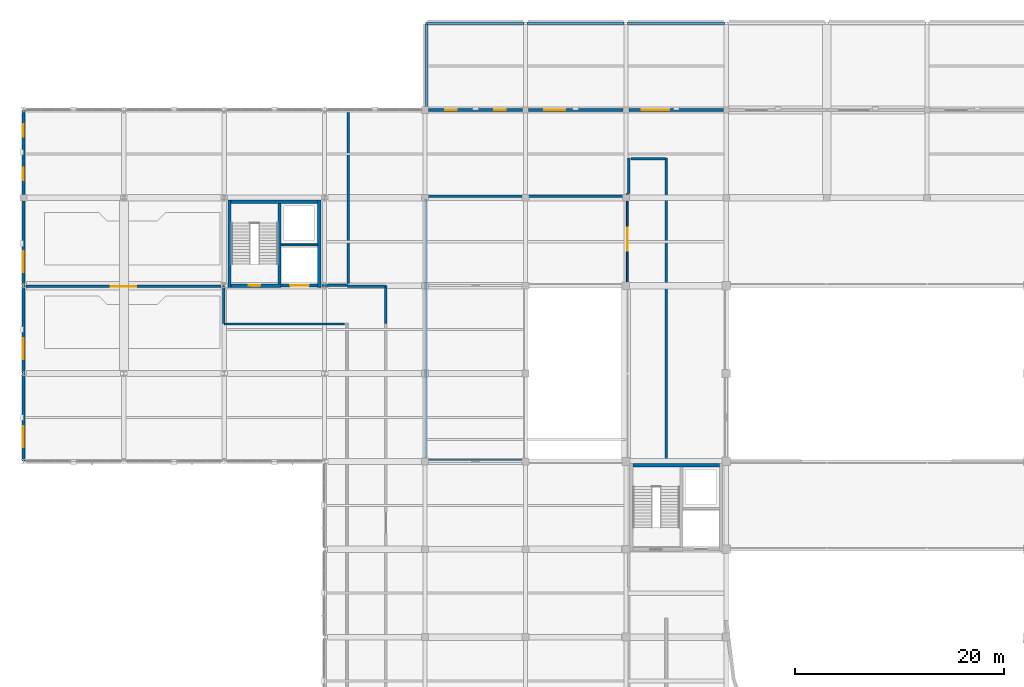
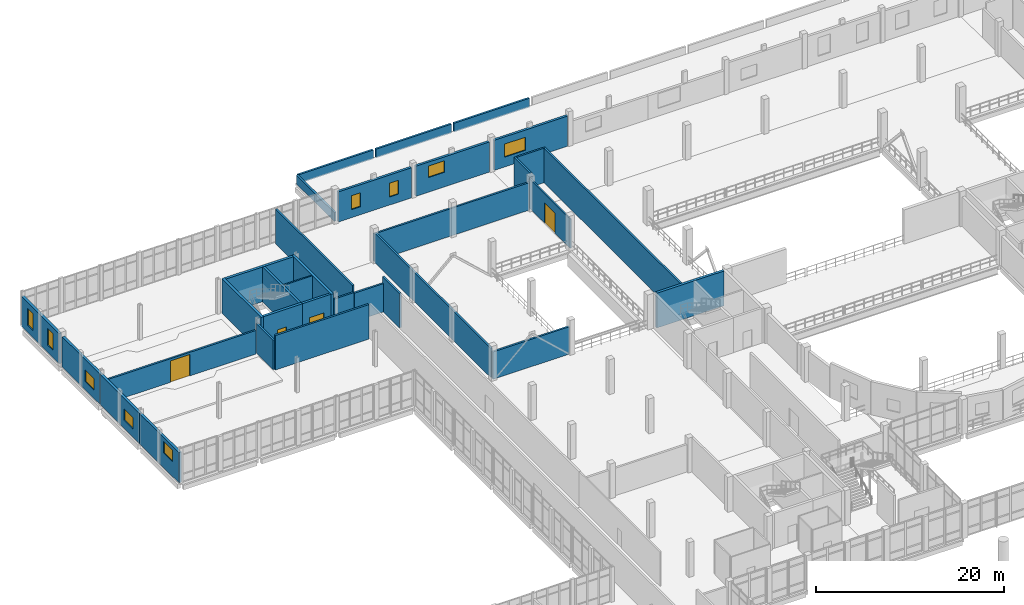
# One storey, part 91 of 102: 33 walls, 9 windows, 4 doors, 13 openings.
"""IFC4 building model written with IfcOpenShell, lengths in metres."""

import ifcopenshell
import ifcopenshell.guid

model = None  # the IFC model being written
_history = None  # IfcOwnerHistory: only IFC2X3 demands one
_inside = {}  # id of a spatial element -> (the spatial element, [elements in it])
_under = {}  # id of a project, library or spatial element -> (it, [spatial elements below it])
_declared = {}  # id of a project -> (the project, [libraries it declares])
_typed = {}  # id of a type object -> (the type object, [elements of that type])
_made_of = {}  # id of a material, layer set ... -> (it, [elements and type objects made of it])


def new_model(schema):
    """Start an empty IFC model of exactly this schema.

    Asked for "IFC4X3", IfcOpenShell would pick the latest addendum, in which some entities
    have other attributes; the version numbers below select the first issue.
    IFC2X3 requires an IfcOwnerHistory on every rooted entity: one is made here for all.
    """
    global model, _history
    if schema == "IFC4X3":
        model = ifcopenshell.file(schema_version=(4, 3, 0, 0))
    else:
        model = ifcopenshell.file(schema=schema)
    _inside.clear()
    _under.clear()
    _declared.clear()
    _typed.clear()
    _made_of.clear()
    _history = None
    if model.schema == "IFC2X3":
        org = make("IfcOrganization", Name="unknown")
        user = make(
            "IfcPersonAndOrganization",
            ThePerson=make("IfcPerson", FamilyName="unknown"),
            TheOrganization=org,
        )
        app = make(
            "IfcApplication",
            ApplicationDeveloper=org,
            Version="unknown",
            ApplicationFullName="unknown",
            ApplicationIdentifier="unknown",
        )
        _history = make(
            "IfcOwnerHistory",
            OwningUser=user,
            OwningApplication=app,
            ChangeAction="ADDED",
            CreationDate=0,
        )
    return model


def make(cls, **values):
    """One entity of the class cls with the attributes given. An attribute that is None is left unset."""
    return model.create_entity(
        cls, **{name: value for name, value in values.items() if value is not None}
    )


def rooted(cls, **values):
    """An entity with a GlobalId (a new one), such as an element, a storey or a relation."""
    return make(cls, GlobalId=ifcopenshell.guid.new(), OwnerHistory=_history, **values)


def si_unit(unit_type, name, prefix=None):
    """IfcSIUnit, for example si_unit("LENGTHUNIT", "METRE", prefix="MILLI")."""
    return make("IfcSIUnit", UnitType=unit_type, Prefix=prefix, Name=name)


def assignment(units):
    """IfcUnitAssignment: the units of a project."""
    return None if units is None else make("IfcUnitAssignment", Units=units)


def point(xyz):
    """IfcCartesianPoint."""
    return None if xyz is None else make("IfcCartesianPoint", Coordinates=xyz)


def direction(xyz):
    """IfcDirection."""
    return None if xyz is None else make("IfcDirection", DirectionRatios=xyz)


def frame(location, z_axis=None, x_axis=None):
    """IfcAxis2Placement3D, a coordinate frame: its origin and axes. An axis left out is left unset."""
    return make(
        "IfcAxis2Placement3D",
        Location=point(location),
        Axis=direction(z_axis),
        RefDirection=direction(x_axis),
    )


def frame_2d(location, x_axis=None):
    """IfcAxis2Placement2D, a coordinate frame in the plane: its origin and x axis."""
    return make(
        "IfcAxis2Placement2D", Location=point(location), RefDirection=direction(x_axis)
    )


def origin():
    """The frame at (0, 0, 0) with its axes left unset."""
    return frame((0.0, 0.0, 0.0))


def place(relative_to, where):
    """IfcLocalPlacement: puts the frame where relative to a parent placement (None: the world)."""
    return make(
        "IfcLocalPlacement", PlacementRelTo=relative_to, RelativePlacement=where
    )


def context(
    kind, dimensions, precision=None, world=None, true_north=None, identifier=None
):
    """IfcGeometricRepresentationContext, for example the 3D "Model" context."""
    return make(
        "IfcGeometricRepresentationContext",
        ContextIdentifier=identifier,
        ContextType=kind,
        CoordinateSpaceDimension=dimensions,
        Precision=precision,
        WorldCoordinateSystem=world,
        TrueNorth=true_north,
    )


def subcontext(parent, identifier, kind, view, scale=None):
    """IfcGeometricRepresentationSubContext, for example "Body" below "Model"."""
    return make(
        "IfcGeometricRepresentationSubContext",
        ContextIdentifier=identifier,
        ContextType=kind,
        ParentContext=parent,
        TargetScale=scale,
        TargetView=view,
    )


def project(units=None, contexts=None):
    """IfcProject with its units and contexts."""
    return rooted(
        "IfcProject",
        Name="project",
        RepresentationContexts=contexts,
        UnitsInContext=assignment(units),
    )


def spatial(cls, under=None, at=None, **own):
    """A site, building, storey or space (cls), placed at a placement, below another one or the project."""
    s = rooted(cls, ObjectPlacement=at, **own)
    if under is not None:
        _under.setdefault(under.id(), (under, []))[1].append(s)
    return s


def profile(cls, at=None, kind="AREA", **sizes):
    """A parametric profile (cls). Its sizes go by their IFC names, for example OverallWidth=200.0."""
    return make(cls, ProfileType=kind, Position=at, **sizes)


def rectangle(**sizes):
    """IfcRectangleProfileDef."""
    return profile("IfcRectangleProfileDef", **sizes)


def extrude(swept, where, along, depth):
    """IfcExtrudedAreaSolid: the profile swept, set in the frame where, extruded along a direction by depth."""
    return make(
        "IfcExtrudedAreaSolid",
        SweptArea=swept,
        Position=where,
        ExtrudedDirection=direction(along),
        Depth=depth,
    )


def shape(context_of_items, identifier, shape_type, items):
    """IfcShapeRepresentation: the items that make up one representation, for example the "Body"."""
    return make(
        "IfcShapeRepresentation",
        ContextOfItems=context_of_items,
        RepresentationIdentifier=identifier,
        RepresentationType=shape_type,
        Items=items,
    )


def material(Name=None, Category=None):
    """IfcMaterial."""
    return make("IfcMaterial", Name=Name, Category=Category)


def layer(
    of_material, thickness, ventilated=None, Name=None, Category=None, Priority=None
):
    """IfcMaterialLayer: one layer of a wall or slab, of a material (None: an air gap)."""
    return make(
        "IfcMaterialLayer",
        Material=of_material,
        LayerThickness=thickness,
        IsVentilated=ventilated,
        Name=Name,
        Category=Category,
        Priority=Priority,
    )


def layer_set(layers, Name=None):
    """IfcMaterialLayerSet."""
    return make("IfcMaterialLayerSet", MaterialLayers=layers, LayerSetName=Name)


def made_of(thing, what):
    """Note that an element or type object is made of a material, layer set ...; save() writes the relation."""
    if what is not None:
        _made_of.setdefault(what.id(), (what, []))[1].append(thing)
    return thing


def type_object(cls, material=None, **own):
    """A type object (cls), such as IfcWallType, which elements share."""
    return made_of(rooted(cls, **own), material)


def element(
    cls,
    number,
    at=None,
    inside=None,
    cuts=None,
    type_object=None,
    material=None,
    context=None,
    identifier="Body",
    shape_type=None,
    held_by="IfcProductDefinitionShape",
    body=None,
    shapes=None,
    **own,
):
    """One element of the class cls, such as IfcWall. Its Tag is "e" and its number.

    at: its placement. inside: the storey or other place that contains it. cuts: it is an
    opening in that element (IfcRelVoidsElement). A single representation is given by context,
    identifier, shape_type and body (its items); several are given by shapes. held_by: the class
    of the entity that holds the representations. save() writes the other relations.
    """
    e = rooted(cls, Tag="e%d" % number, ObjectPlacement=at, **own)
    if body is not None:
        shapes = [shape(context, identifier, shape_type, body)]
    if shapes is not None:
        e.Representation = make(held_by, Representations=shapes)
    if inside is not None:
        _inside.setdefault(inside.id(), (inside, []))[1].append(e)
    if cuts is not None:
        rooted(
            "IfcRelVoidsElement", RelatingBuildingElement=cuts, RelatedOpeningElement=e
        )
    if type_object is not None:
        _typed.setdefault(type_object.id(), (type_object, []))[1].append(e)
    return made_of(e, material)


def fill(opening, filler):
    """IfcRelFillsElement: the door or window that sits in an opening."""
    return rooted(
        "IfcRelFillsElement",
        RelatingOpeningElement=opening,
        RelatedBuildingElement=filler,
    )


def aggregate(whole, parts):
    """IfcRelAggregates: a whole, such as a stair, and the parts it consists of."""
    return rooted("IfcRelAggregates", RelatingObject=whole, RelatedObjects=parts)


def save(model, path):
    """Write the relations noted so far, then the file.

    IfcRelAggregates (storeys below a building ...), IfcRelContainedInSpatialStructure (elements
    in a storey), IfcRelDefinesByType, IfcRelAssociatesMaterial and IfcRelDeclares: one each for
    every whole, place, type object, material and project.
    """
    for whole, parts in _under.values():
        aggregate(whole, parts)
    for where, things in _inside.values():
        rooted(
            "IfcRelContainedInSpatialStructure",
            RelatedElements=things,
            RelatingStructure=where,
        )
    for kind, things in _typed.values():
        rooted("IfcRelDefinesByType", RelatedObjects=things, RelatingType=kind)
    for what, things in _made_of.values():
        rooted("IfcRelAssociatesMaterial", RelatedObjects=things, RelatingMaterial=what)
    for by, libraries in _declared.values():
        rooted("IfcRelDeclares", RelatingContext=by, RelatedDefinitions=libraries)
    model.write(path)


model = new_model("IFC4")

# Units and contexts
model_context = context("Model", 3, precision=1e-05, world=origin(), true_north=direction((0.0, 1.0)))
body_context = subcontext(model_context, "Body", "Model", "MODEL_VIEW")
ifc_project = project(units=[si_unit("LENGTHUNIT", "METRE"), si_unit("AREAUNIT", "SQUARE_METRE"), si_unit("VOLUMEUNIT", "CUBIC_METRE"), si_unit("PLANEANGLEUNIT", "RADIAN"), si_unit("MASSUNIT", "GRAM", prefix="KILO")], contexts=[model_context])

# Site, building, storey
site_placement = place(None, origin())
site = spatial("IfcSite", under=ifc_project, at=site_placement, CompositionType="ELEMENT")
building_placement = place(site_placement, origin())
building = spatial("IfcBuilding", under=site, at=building_placement, Name="Lornevale Opera House", CompositionType="ELEMENT")
storey_placement = place(building_placement, frame((0.0, 0.0, 5.39990234375)))
storey = spatial("IfcBuildingStorey", under=building, at=storey_placement, Name="L02", CompositionType="ELEMENT", Elevation=5.39990234375)

# Wall, opening, door
ifc_material_1 = material(Name="Concrete 40 MPa (CSA A23.1 C-1)", Category="concrete")
ifc_layer_1 = layer(ifc_material_1, 0.320068359375)
ifc_layer_set_1 = layer_set([ifc_layer_1], Name="Concrete 40 MPa (CSA A23.1 C-1)")
wall_type_1 = type_object("IfcWallType", Name="Core Shear Wall 320", PredefinedType="SHEAR", material=ifc_layer_set_1)
wall_1_placement = place(storey_placement, frame((19.860107421875, 84.0, 0.0), z_axis=(0.0, 0.0, 1.0), x_axis=(1.0, 0.0, 0.0)))
wall_1 = element("IfcWall", 1, at=wall_1_placement, inside=storey, type_object=wall_type_1, Name="North-West Workshop Core Core Shear Wall 320 WL-COR-0134", PredefinedType="SHEAR", context=body_context, shape_type="SweptSolid", body=[
    extrude(rectangle(XDim=4.77978515625, YDim=0.320068359375, at=frame_2d((2.389892578125, 0.0))), origin(), (0.0, 0.0, 1.0), 4.52001953125),
])
opening_1_placement = place(wall_1_placement, frame((1.68994140625, 0.0, 0.0)))
opening_1 = element("IfcOpeningElement", 2, at=opening_1_placement, cuts=wall_1, Name="Opening DR-T11", PredefinedType="OPENING", context=body_context, shape_type="SweptSolid", body=[
    extrude(rectangle(XDim=1.10009765625, YDim=2.199951171875, at=frame_2d((0.550048828125, 1.10009765625))), frame((0.0, 0.169921875, 0.0), z_axis=(0.0, -1.0, 0.0), x_axis=(1.0, 0.0, 0.0)), (0.0, 0.0, 1.0), 0.340087890625),
])
ifc_material_2 = material(Name="Painted Hollow Metal Door Steel", Category="steel")
ifc_layer_2 = layer(ifc_material_2, 2.199951171875)
ifc_layer_set_2 = layer_set([ifc_layer_2], Name="Painted Hollow Metal Door Steel")
door_type_1 = type_object("IfcDoorType", Name="Protected Exit Stair Door R 1100x2200", OperationType="NOTDEFINED", PredefinedType="DOOR", material=ifc_layer_set_2)
door_1_placement = place(opening_1_placement, origin())
door_1 = element("IfcDoor", 3, at=door_1_placement, inside=storey, type_object=door_type_1, Name="C4 Stair Door L02", OperationType="SINGLE_SWING_RIGHT", OverallHeight=2.199951171875, OverallWidth=1.10009765625, PredefinedType="DOOR", context=body_context, shape_type="SweptSolid", body=[
    extrude(rectangle(XDim=1.10009765625, YDim=2.199951171875, at=frame_2d((0.550048828125, 1.10009765625))), frame((0.0, 0.02490234375, 0.0), z_axis=(0.0, -1.0, 0.0), x_axis=(1.0, 0.0, 0.0)), (0.0, 0.0, 1.0), 0.050048828125),
])
fill(opening_1, door_1)

# Walls
wall_2_placement = place(storey_placement, frame((28.139892578125, 92.0400390625, 0.0), z_axis=(0.0, 0.0, 1.0), x_axis=(-1.0, 0.0, 0.0)))
element("IfcWall", 4, at=wall_2_placement, inside=storey, type_object=wall_type_1, Name="North-West Workshop Core Core Shear Wall 320 WL-COR-0136", PredefinedType="SHEAR", context=body_context, shape_type="SweptSolid", body=[
    extrude(rectangle(XDim=8.27978515625, YDim=0.320068359375, at=frame_2d((4.139892578125, 0.0))), origin(), (0.0, 0.0, 1.0), 4.52001953125),
])
for number, where, z_axis, x_axis, name in (
    (5, (19.699951171875, 92.199951171875, 0.0), (0.0, 0.0, 1.0), (0.0, -1.0, 0.0), "North-West Workshop Core Core Shear Wall 320 WL-COR-0137"),
    (6, (28.300048828125, 83.840087890625, 0.0), (0.0, 0.0, 1.0), (0.0, 1.0, 0.0), "North-West Workshop Core Core Shear Wall 320 WL-COR-0138"),
):
    element("IfcWall", number, at=place(storey_placement, frame(where, z_axis=z_axis, x_axis=x_axis)), inside=storey, type_object=wall_type_1, Name=name, PredefinedType="SHEAR", context=body_context, shape_type="SweptSolid", body=[
        extrude(rectangle(XDim=8.35986328125, YDim=0.320068359375, at=frame_2d((4.179931640625, 0.0))), origin(), (0.0, 0.0, 1.0), 4.52001953125),
    ])
wall_3_placement = place(storey_placement, frame((66.5400390625, 66.840087890625, 0.0), z_axis=(0.0, 0.0, 1.0), x_axis=(-1.0, 0.0, 0.0)))
element("IfcWall", 7, at=wall_3_placement, inside=storey, type_object=wall_type_1, Name="Auditorium West Tier Core Core Shear Wall 320 WL-COR-0171", PredefinedType="SHEAR", context=body_context, shape_type="SweptSolid", body=[
    extrude(rectangle(XDim=8.280029296875, YDim=0.320068359375, at=frame_2d((4.14013671875, 0.0))), origin(), (0.0, 0.0, 1.0), 4.52001953125),
])

# Wall, opening, door
ifc_material_3 = material(Name="Acoustic Mineral-Core Gypsum Partition", Category="gypsum")
ifc_layer_3 = layer(ifc_material_3, 0.1650390625)
ifc_layer_set_3 = layer_set([ifc_layer_3], Name="Acoustic Mineral-Core Gypsum Partition")
wall_type_2 = type_object("IfcWallType", Name="Corridor Rated Partition 165", PredefinedType="PARTITIONING", material=ifc_layer_set_3)
wall_4_placement = place(storey_placement, frame((57.739990234375, 84.091064453125, 0.0), z_axis=(0.0, 0.0, 1.0), x_axis=(0.0, 1.0, 0.0)))
wall_4 = element("IfcWall", 8, at=wall_4_placement, inside=storey, type_object=wall_type_2, Name="L02 Partition WL-INT-0753", PredefinedType="PARTITIONING", context=body_context, shape_type="SweptSolid", body=[
    extrude(rectangle(XDim=8.708984375, YDim=0.1650390625, at=frame_2d((4.3544921875, 0.0))), origin(), (0.0, 0.0, 1.0), 3.81005859375),
])
opening_2_placement = place(wall_4_placement, frame((3.2548828125, 0.0, 0.0)))
opening_2 = element("IfcOpeningElement", 9, at=opening_2_placement, cuts=wall_4, Name="Opening DR-T17", PredefinedType="OPENING", context=body_context, shape_type="SweptSolid", body=[
    extrude(rectangle(XDim=2.199951171875, YDim=2.60009765625, at=frame_2d((1.10009765625, 1.300048828125))), frame((0.0, 0.092529296875, 0.0), z_axis=(0.0, -1.0, 0.0), x_axis=(1.0, 0.0, 0.0)), (0.0, 0.0, 1.0), 0.18505859375),
])
ifc_layer_4 = layer(ifc_material_2, 2.60009765625)
ifc_layer_set_4 = layer_set([ifc_layer_4], Name="Painted Hollow Metal Door Steel")
door_type_2 = type_object("IfcDoorType", Name="Workshop Acoustic Pair 2200x2600", OperationType="NOTDEFINED", PredefinedType="DOOR", material=ifc_layer_set_4)
door_2_placement = place(opening_2_placement, origin())
door_2 = element("IfcDoor", 10, at=door_2_placement, inside=storey, type_object=door_type_2, Name="Prop & Metalwork Workshop Door", OperationType="DOUBLE_SWING_LEFT", OverallHeight=2.60009765625, OverallWidth=2.199951171875, PredefinedType="DOOR", context=body_context, shape_type="SweptSolid", body=[
    extrude(rectangle(XDim=2.199951171875, YDim=2.60009765625, at=frame_2d((1.10009765625, 1.300048828125))), frame((0.0, 0.02490234375, 0.0), z_axis=(0.0, -1.0, 0.0), x_axis=(1.0, 0.0, 0.0)), (0.0, 0.0, 1.0), 0.050048828125),
])
fill(opening_2, door_2)

ifc_layer_5 = layer(ifc_material_1, 0.280029296875)
ifc_layer_set_5 = layer_set([ifc_layer_5], Name="Concrete 40 MPa (CSA A23.1 C-1)")
wall_type_3 = type_object("IfcWallType", Name="Elevator Shaft Wall 280", PredefinedType="SHEAR", material=ifc_layer_set_5)
wall_5_placement = place(storey_placement, frame((24.639892578125, 84.0, 0.0), z_axis=(0.0, 0.0, 1.0), x_axis=(1.0, 0.0, 0.0)))
wall_5 = element("IfcWall", 11, at=wall_5_placement, inside=storey, type_object=wall_type_3, Name="North-West Workshop Core Elevator Shaft Wall 280 WL-COR-0135", PredefinedType="SHEAR", context=body_context, shape_type="SweptSolid", body=[
    extrude(rectangle(XDim=3.5, YDim=0.280029296875, at=frame_2d((1.75, 0.0))), origin(), (0.0, 0.0, 1.0), 4.52001953125),
])
opening_3_placement = place(wall_5_placement, frame((0.860107421875, 0.0, 0.0)))
opening_3 = element("IfcOpeningElement", 12, at=opening_3_placement, cuts=wall_5, Name="Opening DR-T27", PredefinedType="OPENING", context=body_context, shape_type="SweptSolid", body=[
    extrude(rectangle(XDim=1.800048828125, YDim=2.39990234375, at=frame_2d((0.89990234375, 1.199951171875))), frame((0.0, 0.14990234375, 0.0), z_axis=(0.0, -1.0, 0.0), x_axis=(1.0, 0.0, 0.0)), (0.0, 0.0, 1.0), 0.300048828125),
])
ifc_layer_6 = layer(ifc_material_2, 2.39990234375)
ifc_layer_set_6 = layer_set([ifc_layer_6], Name="Painted Hollow Metal Door Steel")
door_type_3 = type_object("IfcDoorType", Name="Freight Lift Landing Door 1800x2400", OperationType="NOTDEFINED", PredefinedType="DOOR", material=ifc_layer_set_6)
door_3_placement = place(opening_3_placement, origin())
door_3 = element("IfcDoor", 13, at=door_3_placement, inside=storey, type_object=door_type_3, Name="L-B1 Landing Door L02", OperationType="SLIDING_TO_LEFT", OverallHeight=2.39990234375, OverallWidth=1.800048828125, PredefinedType="DOOR", context=body_context, shape_type="SweptSolid", body=[
    extrude(rectangle(XDim=1.800048828125, YDim=2.39990234375, at=frame_2d((0.89990234375, 1.199951171875))), frame((0.0, 0.02490234375, 0.0), z_axis=(0.0, -1.0, 0.0), x_axis=(1.0, 0.0, 0.0)), (0.0, 0.0, 1.0), 0.050048828125),
])
fill(opening_3, door_3)

# Wall
wall_6_placement = place(storey_placement, frame((24.5, 84.159912109375, 0.0), z_axis=(0.0, 0.0, 1.0), x_axis=(0.0, 1.0, 0.0)))
element("IfcWall", 14, at=wall_6_placement, inside=storey, type_object=wall_type_3, Name="North-West Workshop Core Elevator Shaft Wall 280 WL-COR-0139", PredefinedType="SHEAR", context=body_context, shape_type="SweptSolid", body=[
    extrude(rectangle(XDim=7.719970703125, YDim=0.280029296875, at=frame_2d((3.85986328125, 0.0))), origin(), (0.0, 0.0, 1.0), 4.52001953125),
])

# Wall, opening, window
ifc_material_4 = material(Name="Queenston Buff Limestone Ashlar Masonry (25 MPa)", Category="masonry")
ifc_layer_7 = layer(ifc_material_4, 0.31005859375)
ifc_layer_set_7 = layer_set([ifc_layer_7], Name="Queenston Buff Limestone Ashlar Masonry (25 MPa)")
wall_type_4 = type_object("IfcWallType", Name="Rehearsal Pavilion Limestone Wall 310", PredefinedType="SOLIDWALL", material=ifc_layer_set_7)
wall_7_placement = place(storey_placement, frame((0.0, 67.219970703125, 0.0), z_axis=(0.0, 0.0, 1.0), x_axis=(0.0, 1.0, 0.0)))
wall_7 = element("IfcWall", 15, at=wall_7_placement, inside=storey, type_object=wall_type_4, Name="Rehearsal Pavilion Limestone Wall 310 WL-EXT-0194", PredefinedType="SOLIDWALL", context=body_context, shape_type="SweptSolid", body=[
    extrude(rectangle(XDim=8.360107421875, YDim=0.31005859375, at=frame_2d((4.18017578125, 0.0))), origin(), (0.0, 0.0, 1.0), 3.920166015625),
])
opening_4_placement = place(wall_7_placement, frame((1.341064453125, 0.0, 1.89990234375)))
opening_4 = element("IfcOpeningElement", 16, at=opening_4_placement, cuts=wall_7, Name="Opening WN-T11", PredefinedType="OPENING", context=body_context, shape_type="SweptSolid", body=[
    extrude(rectangle(XDim=2.0, YDim=1.5, at=frame_2d((1.0, 0.75))), frame((0.0, 0.1650390625, 0.0), z_axis=(0.0, -1.0, 0.0), x_axis=(1.0, 0.0, 0.0)), (0.0, 0.0, 1.0), 0.330078125),
])
ifc_material_5 = material(Name="Triple Low-E Insulated Glazing", Category="glass")
ifc_layer_8 = layer(ifc_material_5, 0.06005859375)
ifc_layer_set_8 = layer_set([ifc_layer_8], Name="Triple Low-E Insulated Glazing")
window_type_1 = type_object("IfcWindowType", Name="Workshop Operable Window 2000x1500", PartitioningType="NOTDEFINED", PredefinedType="WINDOW", material=ifc_layer_set_8)
window_1_placement = place(opening_4_placement, origin())
window_1 = element("IfcWindow", 17, at=window_1_placement, inside=storey, type_object=window_type_1, Name="Workshop Operable Window 2000x1500 WN-0039", OverallHeight=1.5, OverallWidth=2.0, PartitioningType="SINGLE_PANEL", PredefinedType="WINDOW", context=body_context, shape_type="SweptSolid", body=[
    extrude(rectangle(XDim=2.0, YDim=1.5, at=frame_2d((1.0, 0.75))), frame((0.0, 0.030029296875, 0.0), z_axis=(0.0, -1.0, 0.0), x_axis=(1.0, 0.0, 0.0)), (0.0, 0.0, 1.0), 0.06005859375),
])
fill(opening_4, window_1)

wall_8_placement = place(storey_placement, frame((0.0, 75.6201171875, 0.0), z_axis=(0.0, 0.0, 1.0), x_axis=(0.0, 1.0, 0.0)))
wall_8 = element("IfcWall", 18, at=wall_8_placement, inside=storey, type_object=wall_type_4, Name="Rehearsal Pavilion Limestone Wall 310 WL-EXT-0195", PredefinedType="SOLIDWALL", context=body_context, shape_type="SweptSolid", body=[
    extrude(rectangle(XDim=8.35986328125, YDim=0.31005859375, at=frame_2d((4.179931640625, 0.0))), origin(), (0.0, 0.0, 1.0), 3.920166015625),
])
opening_5_placement = place(wall_8_placement, frame((1.341064453125, 0.0, 1.050048828125)))
opening_5 = element("IfcOpeningElement", 19, at=opening_5_placement, cuts=wall_8, Name="Opening WN-T11", PredefinedType="OPENING", context=body_context, shape_type="SweptSolid", body=[
    extrude(rectangle(XDim=2.0, YDim=1.5, at=frame_2d((1.0, 0.75))), frame((0.0, 0.1650390625, 0.0), z_axis=(0.0, -1.0, 0.0), x_axis=(1.0, 0.0, 0.0)), (0.0, 0.0, 1.0), 0.330078125),
])
window_2_placement = place(opening_5_placement, origin())
window_2 = element("IfcWindow", 20, at=window_2_placement, inside=storey, type_object=window_type_1, Name="Workshop Operable Window 2000x1500 WN-0040", OverallHeight=1.5, OverallWidth=2.0, PartitioningType="SINGLE_PANEL", PredefinedType="WINDOW", context=body_context, shape_type="SweptSolid", body=[
    extrude(rectangle(XDim=2.0, YDim=1.5, at=frame_2d((1.0, 0.75))), frame((0.0, 0.030029296875, 0.0), z_axis=(0.0, -1.0, 0.0), x_axis=(1.0, 0.0, 0.0)), (0.0, 0.0, 1.0), 0.06005859375),
])
fill(opening_5, window_2)

wall_9_placement = place(storey_placement, frame((0.0, 84.02001953125, 0.0), z_axis=(0.0, 0.0, 1.0), x_axis=(0.0, 1.0, 0.0)))
wall_9 = element("IfcWall", 21, at=wall_9_placement, inside=storey, type_object=wall_type_4, Name="Rehearsal Pavilion Limestone Wall 310 WL-EXT-0196", PredefinedType="SOLIDWALL", context=body_context, shape_type="SweptSolid", body=[
    extrude(rectangle(XDim=8.054931640625, YDim=0.31005859375, at=frame_2d((4.02734375, 0.0))), origin(), (0.0, 0.0, 1.0), 3.920166015625),
])
opening_6_placement = place(wall_9_placement, frame((1.2548828125, 0.0, 1.050048828125)))
opening_6 = element("IfcOpeningElement", 22, at=opening_6_placement, cuts=wall_9, Name="Opening WN-T11", PredefinedType="OPENING", context=body_context, shape_type="SweptSolid", body=[
    extrude(rectangle(XDim=2.0, YDim=1.5, at=frame_2d((1.0, 0.75))), frame((0.0, 0.1650390625, 0.0), z_axis=(0.0, -1.0, 0.0), x_axis=(1.0, 0.0, 0.0)), (0.0, 0.0, 1.0), 0.330078125),
])
window_3_placement = place(opening_6_placement, origin())
window_3 = element("IfcWindow", 23, at=window_3_placement, inside=storey, type_object=window_type_1, Name="Workshop Operable Window 2000x1500 WN-0041", OverallHeight=1.5, OverallWidth=2.0, PartitioningType="SINGLE_PANEL", PredefinedType="WINDOW", context=body_context, shape_type="SweptSolid", body=[
    extrude(rectangle(XDim=2.0, YDim=1.5, at=frame_2d((1.0, 0.75))), frame((0.0, 0.030029296875, 0.0), z_axis=(0.0, -1.0, 0.0), x_axis=(1.0, 0.0, 0.0)), (0.0, 0.0, 1.0), 0.06005859375),
])
fill(opening_6, window_3)

# Wall, openings, windows
wall_10_placement = place(storey_placement, frame((0.0, 92.72509765625, 0.0), z_axis=(0.0, 0.0, 1.0), x_axis=(0.0, 1.0, 0.0)))
wall_10 = element("IfcWall", 24, at=wall_10_placement, inside=storey, type_object=wall_type_4, Name="Rehearsal Pavilion Limestone Wall 310 WL-EXT-0197", PredefinedType="SOLIDWALL", context=body_context, shape_type="SweptSolid", body=[
    extrude(rectangle(XDim=8.054931640625, YDim=0.31005859375, at=frame_2d((4.02734375, 0.0))), origin(), (0.0, 0.0, 1.0), 3.920166015625),
])
opening_7_placement = place(wall_10_placement, frame((1.3330078125, 0.0, 0.949951171875)))
opening_7 = element("IfcOpeningElement", 25, at=opening_7_placement, cuts=wall_10, Name="Opening WN-T03", PredefinedType="OPENING", context=body_context, shape_type="SweptSolid", body=[
    extrude(rectangle(XDim=1.199951171875, YDim=2.199951171875, at=frame_2d((0.60009765625, 1.10009765625))), frame((0.0, 0.1650390625, 0.0), z_axis=(0.0, -1.0, 0.0), x_axis=(1.0, 0.0, 0.0)), (0.0, 0.0, 1.0), 0.330078125),
])
opening_8_placement = place(wall_10_placement, frame((5.52197265625, 0.0, 0.949951171875)))
opening_8 = element("IfcOpeningElement", 26, at=opening_8_placement, cuts=wall_10, Name="Opening WN-T03", PredefinedType="OPENING", context=body_context, shape_type="SweptSolid", body=[
    extrude(rectangle(XDim=1.199951171875, YDim=2.199951171875, at=frame_2d((0.60009765625, 1.10009765625))), frame((0.0, 0.1650390625, 0.0), z_axis=(0.0, -1.0, 0.0), x_axis=(1.0, 0.0, 0.0)), (0.0, 0.0, 1.0), 0.330078125),
])
ifc_layer_9 = layer(ifc_material_5, 0.06005859375)
ifc_layer_set_9 = layer_set([ifc_layer_9], Name="Triple Low-E Insulated Glazing")
window_type_2 = type_object("IfcWindowType", Name="Punched Deep-Reveal Window 1200x2200", PartitioningType="NOTDEFINED", PredefinedType="WINDOW", material=ifc_layer_set_9)
window_4_placement = place(opening_7_placement, origin())
window_4 = element("IfcWindow", 27, at=window_4_placement, inside=storey, type_object=window_type_2, Name="Punched Deep-Reveal Window 1200x2200 WN-0042", OverallHeight=2.199951171875, OverallWidth=1.199951171875, PartitioningType="SINGLE_PANEL", PredefinedType="WINDOW", context=body_context, shape_type="SweptSolid", body=[
    extrude(rectangle(XDim=1.199951171875, YDim=2.199951171875, at=frame_2d((0.60009765625, 1.10009765625))), frame((0.0, 0.030029296875, 0.0), z_axis=(0.0, -1.0, 0.0), x_axis=(1.0, 0.0, 0.0)), (0.0, 0.0, 1.0), 0.06005859375),
])
fill(opening_7, window_4)
window_5_placement = place(opening_8_placement, origin())
window_5 = element("IfcWindow", 28, at=window_5_placement, inside=storey, type_object=window_type_2, Name="Punched Deep-Reveal Window 1200x2200 WN-0043", OverallHeight=2.199951171875, OverallWidth=1.199951171875, PartitioningType="SINGLE_PANEL", PredefinedType="WINDOW", context=body_context, shape_type="SweptSolid", body=[
    extrude(rectangle(XDim=1.199951171875, YDim=2.199951171875, at=frame_2d((0.60009765625, 1.10009765625))), frame((0.0, 0.030029296875, 0.0), z_axis=(0.0, -1.0, 0.0), x_axis=(1.0, 0.0, 0.0)), (0.0, 0.0, 1.0), 0.06005859375),
])
fill(opening_8, window_5)

# Walls
ifc_layer_10 = layer(ifc_material_3, 0.22998046875)
ifc_layer_set_10 = layer_set([ifc_layer_10], Name="Acoustic Mineral-Core Gypsum Partition")
wall_type_5 = type_object("IfcWallType", Name="Rehearsal Studio Acoustic Wall 230", PredefinedType="SOLIDWALL", material=ifc_layer_set_10)
wall_11_placement = place(storey_placement, frame((28.550048828125, 84.06005859375, 0.0), z_axis=(0.0, 0.0, 1.0), x_axis=(1.0, 0.0, 0.0)))
element("IfcWall", 29, at=wall_11_placement, inside=storey, type_object=wall_type_5, Name="L02 Partition WL-INT-0752", PredefinedType="SOLIDWALL", context=body_context, shape_type="SweptSolid", body=[
    extrude(rectangle(XDim=2.449951171875, YDim=0.22998046875, at=frame_2d((1.22509765625, 0.0))), origin(), (0.0, 0.0, 1.0), 3.670166015625),
])
wall_12_placement = place(storey_placement, frame((31.0, 83.93994140625, 0.0), z_axis=(0.0, 0.0, 1.0), x_axis=(1.0, 0.0, 0.0)))
element("IfcWall", 30, at=wall_12_placement, inside=storey, type_object=wall_type_5, Name="L02 Partition WL-INT-0754", PredefinedType="SOLIDWALL", context=body_context, shape_type="SweptSolid", body=[
    extrude(rectangle(XDim=3.60009765625, YDim=0.22998046875, at=frame_2d((1.800048828125, 0.0))), origin(), (0.0, 0.0, 1.0), 3.670166015625),
])
wall_13_placement = place(storey_placement, frame((34.659912109375, 80.39990234375, 0.0), z_axis=(0.0, 0.0, 1.0), x_axis=(0.0, 1.0, 0.0)))
element("IfcWall", 31, at=wall_13_placement, inside=storey, type_object=wall_type_5, Name="L02 Partition WL-INT-0755", PredefinedType="SOLIDWALL", context=body_context, shape_type="SweptSolid", body=[
    extrude(rectangle(XDim=3.60009765625, YDim=0.22998046875, at=frame_2d((1.800048828125, 0.0))), origin(), (0.0, 0.0, 1.0), 4.47998046875),
])
wall_14_placement = place(storey_placement, frame((57.860107421875, 92.800048828125, 0.0), z_axis=(0.0, 0.0, 1.0), x_axis=(0.0, 1.0, 0.0)))
element("IfcWall", 32, at=wall_14_placement, inside=storey, type_object=wall_type_5, Name="L02 Partition WL-INT-0759", PredefinedType="SOLIDWALL", context=body_context, shape_type="SweptSolid", body=[
    extrude(rectangle(XDim=3.39990234375, YDim=0.22998046875, at=frame_2d((1.699951171875, 0.0))), origin(), (0.0, 0.0, 1.0), 4.47998046875),
])
wall_15_placement = place(storey_placement, frame((58.110107421875, 96.139892578125, 0.0), z_axis=(0.0, 0.0, 1.0), x_axis=(1.0, 0.0, 0.0)))
element("IfcWall", 33, at=wall_15_placement, inside=storey, type_object=wall_type_5, Name="L02 Partition WL-INT-0760", PredefinedType="SOLIDWALL", context=body_context, shape_type="SweptSolid", body=[
    extrude(rectangle(XDim=3.289794921875, YDim=0.22998046875, at=frame_2d((1.64501953125, 0.0))), origin(), (0.0, 0.0, 1.0), 4.47998046875),
])
wall_16_placement = place(storey_placement, frame((61.4599609375, 67.090087890625, 0.0), z_axis=(0.0, 0.0, 1.0), x_axis=(0.0, 1.0, 0.0)))
element("IfcWall", 34, at=wall_16_placement, inside=storey, type_object=wall_type_5, Name="L02 Partition WL-INT-0761", PredefinedType="SOLIDWALL", context=body_context, shape_type="SweptSolid", body=[
    extrude(rectangle(XDim=29.10986328125, YDim=0.22998046875, at=frame_2d((14.554931640625, 0.0))), origin(), (0.0, 0.0, 1.0), 4.47998046875),
])
wall_17_placement = place(storey_placement, frame((19.139892578125, 80.39990234375, 0.0), z_axis=(0.0, 0.0, 1.0), x_axis=(0.0, 1.0, 0.0)))
element("IfcWall", 35, at=wall_17_placement, inside=storey, type_object=wall_type_5, Name="L02 Partition WL-INT-0762", PredefinedType="SOLIDWALL", context=body_context, shape_type="SweptSolid", body=[
    extrude(rectangle(XDim=3.60009765625, YDim=0.22998046875, at=frame_2d((1.800048828125, 0.0))), origin(), (0.0, 0.0, 1.0), 3.820068359375),
])
wall_18_placement = place(storey_placement, frame((19.199951171875, 80.340087890625, 0.0), z_axis=(0.0, 0.0, 1.0), x_axis=(1.0, 0.0, 0.0)))
element("IfcWall", 36, at=wall_18_placement, inside=storey, type_object=wall_type_5, Name="L02 Partition WL-INT-0765", PredefinedType="SOLIDWALL", context=body_context, shape_type="SweptSolid", body=[
    extrude(rectangle(XDim=11.489990234375, YDim=0.22998046875, at=frame_2d((5.7451171875, 0.0))), origin(), (0.0, 0.0, 1.0), 4.47998046875),
])
wall_19_placement = place(storey_placement, frame((31.06005859375, 84.18994140625, 0.0), z_axis=(0.0, 0.0, 1.0), x_axis=(0.0, 1.0, 0.0)))
element("IfcWall", 37, at=wall_19_placement, inside=storey, type_object=wall_type_5, Name="L02 Partition WL-INT-0803", PredefinedType="SOLIDWALL", context=body_context, shape_type="SweptSolid", body=[
    extrude(rectangle(XDim=16.360107421875, YDim=0.22998046875, at=frame_2d((8.18017578125, 0.0))), origin(), (0.0, 0.0, 1.0), 4.47998046875),
])

# Wall, opening, door
wall_20_placement = place(storey_placement, frame((0.25, 83.93994140625, 0.0), z_axis=(0.0, 0.0, 1.0), x_axis=(1.0, 0.0, 0.0)))
wall_20 = element("IfcWall", 38, at=wall_20_placement, inside=storey, type_object=wall_type_5, Name="L02 Partition WL-INT-0804", PredefinedType="SOLIDWALL", context=body_context, shape_type="SweptSolid", body=[
    extrude(rectangle(XDim=18.639892578125, YDim=0.22998046875, at=frame_2d((9.31982421875, 0.0))), origin(), (0.0, 0.0, 1.0), 3.070068359375),
])
opening_9_placement = place(wall_20_placement, frame((8.1201171875, 0.0, 0.0)))
opening_9 = element("IfcOpeningElement", 39, at=opening_9_placement, cuts=wall_20, Name="Opening DR-T16", PredefinedType="OPENING", context=body_context, shape_type="SweptSolid", body=[
    extrude(rectangle(XDim=2.39990234375, YDim=2.800048828125, at=frame_2d((1.199951171875, 1.39990234375))), frame((0.0, 0.125, 0.0), z_axis=(0.0, -1.0, 0.0), x_axis=(1.0, 0.0, 0.0)), (0.0, 0.0, 1.0), 0.25),
])
ifc_layer_11 = layer(ifc_material_2, 2.800048828125)
ifc_layer_set_11 = layer_set([ifc_layer_11], Name="Painted Hollow Metal Door Steel")
door_type_4 = type_object("IfcDoorType", Name="Stage Scenery Double Door 2400x2800", OperationType="NOTDEFINED", PredefinedType="DOOR", material=ifc_layer_set_11)
door_4_placement = place(opening_9_placement, origin())
door_4 = element("IfcDoor", 40, at=door_4_placement, inside=storey, type_object=door_type_4, Name="Full-Scale Rehearsal Stage Door", OperationType="DOUBLE_SWING_LEFT", OverallHeight=2.800048828125, OverallWidth=2.39990234375, PredefinedType="DOOR", context=body_context, shape_type="SweptSolid", body=[
    extrude(rectangle(XDim=2.39990234375, YDim=2.800048828125, at=frame_2d((1.199951171875, 1.39990234375))), frame((0.0, 0.02490234375, 0.0), z_axis=(0.0, -1.0, 0.0), x_axis=(1.0, 0.0, 0.0)), (0.0, 0.0, 1.0), 0.050048828125),
])
fill(opening_9, door_4)

# Walls
wall_21_placement = place(storey_placement, frame((38.39990234375, 92.5400390625, 0.0), z_axis=(0.0, 0.0, 1.0), x_axis=(1.0, 0.0, 0.0)))
element("IfcWall", 41, at=wall_21_placement, inside=storey, type_object=wall_type_5, Name="L02 Partition WL-INT-0805", PredefinedType="SOLIDWALL", context=body_context, shape_type="SweptSolid", body=[
    extrude(rectangle(XDim=19.090087890625, YDim=0.22998046875, at=frame_2d((9.544921875, 0.0))), origin(), (0.0, 0.0, 1.0), 3.56005859375),
])
wall_22_placement = place(storey_placement, frame((38.39990234375, 67.260009765625, 0.0), z_axis=(0.0, 0.0, 1.0), x_axis=(1.0, 0.0, 0.0)))
element("IfcWall", 42, at=wall_22_placement, inside=storey, type_object=wall_type_5, Name="L02 Partition WL-INT-0806", PredefinedType="SOLIDWALL", context=body_context, shape_type="SweptSolid", body=[
    extrude(rectangle(XDim=9.380126953125, YDim=0.22998046875, at=frame_2d((4.68994140625, 0.0))), origin(), (0.0, 0.0, 1.0), 3.56005859375),
])
wall_23_placement = place(storey_placement, frame((38.4599609375, 67.510009765625, 0.0), z_axis=(0.0, 0.0, 1.0), x_axis=(0.0, 1.0, 0.0)))
element("IfcWall", 43, at=wall_23_placement, inside=storey, type_object=wall_type_5, Name="L02 Partition WL-INT-0807", PredefinedType="SOLIDWALL", context=body_context, shape_type="SweptSolid", body=[
    extrude(rectangle(XDim=24.780029296875, YDim=0.22998046875, at=frame_2d((12.39013671875, 0.0))), origin(), (0.0, 0.0, 1.0), 3.81005859375),
])
ifc_material_6 = material(Name="Moisture-Resistant Ceramic & Gypsum Partition", Category="gypsum")
ifc_layer_12 = layer(ifc_material_6, 0.179931640625)
ifc_layer_set_12 = layer_set([ifc_layer_12], Name="Moisture-Resistant Ceramic & Gypsum Partition")
wall_type_6 = type_object("IfcWallType", Name="Riser Shaft Wall 180", PredefinedType="SOLIDWALL", material=ifc_layer_set_12)
wall_24_placement = place(storey_placement, frame((24.639892578125, 87.89990234375, 0.0), z_axis=(0.0, 0.0, 1.0), x_axis=(1.0, 0.0, 0.0)))
element("IfcWall", 44, at=wall_24_placement, inside=storey, type_object=wall_type_6, Name="North-West Workshop Core Riser Shaft Wall 180 WL-COR-0140", PredefinedType="SOLIDWALL", context=body_context, shape_type="SweptSolid", body=[
    extrude(rectangle(XDim=3.5, YDim=0.179931640625, at=frame_2d((1.75, 0.0))), origin(), (0.0, 0.0, 1.0), 4.52001953125),
])
ifc_layer_13 = layer(ifc_material_4, 0.239990234375)
ifc_layer_set_13 = layer_set([ifc_layer_13], Name="Queenston Buff Limestone Ashlar Masonry (25 MPa)")
wall_type_7 = type_object("IfcWallType", Name="Stone Coped Parapet Wall 240", PredefinedType="PARAPET", material=ifc_layer_set_13)
for number, where, z_axis, x_axis, name in (
    (45, (48.159912109375, 109.070068359375, 0.0), (0.0, 0.0, 1.0), (1.0, 0.0, 0.0), "Stone Coped Parapet Wall 240 0387"),
    (46, (57.760009765625, 109.070068359375, 0.0), (0.0, 0.0, 1.0), (1.0, 0.0, 0.0), "Stone Coped Parapet Wall 240 0388"),
):
    element("IfcWall", number, at=place(storey_placement, frame(where, z_axis=z_axis, x_axis=x_axis)), inside=storey, type_object=wall_type_7, Name=name, PredefinedType="PARAPET", context=body_context, shape_type="SweptSolid", body=[
        extrude(rectangle(XDim=9.280029296875, YDim=0.239990234375, at=frame_2d((4.64013671875, 0.0))), origin(), (0.0, 0.0, 1.0), 1.150146484375),
    ])
wall_25_placement = place(storey_placement, frame((38.530029296875, 100.9599609375, 0.0), z_axis=(0.0, 0.0, 1.0), x_axis=(0.0, 1.0, 0.0)))
element("IfcWall", 47, at=wall_25_placement, inside=storey, type_object=wall_type_7, Name="Stone Coped Parapet Wall 240 0396", PredefinedType="PARAPET", context=body_context, shape_type="SweptSolid", body=[
    extrude(rectangle(XDim=8.080078125, YDim=0.239990234375, at=frame_2d((4.0400390625, 0.0))), origin(), (0.0, 0.0, 1.0), 1.150146484375),
])
wall_26_placement = place(storey_placement, frame((38.56005859375, 109.070068359375, 0.0), z_axis=(0.0, 0.0, 1.0), x_axis=(1.0, 0.0, 0.0)))
element("IfcWall", 48, at=wall_26_placement, inside=storey, type_object=wall_type_7, Name="Stone Coped Parapet Wall 240 0397", PredefinedType="PARAPET", context=body_context, shape_type="SweptSolid", body=[
    extrude(rectangle(XDim=9.280029296875, YDim=0.239990234375, at=frame_2d((4.64013671875, 0.0))), origin(), (0.0, 0.0, 1.0), 1.150146484375),
])

# Wall, openings, windows
ifc_material_7 = material(Name="Precast Concrete 40 MPa (CSA A23.1 C-1)", Category="concrete")
ifc_layer_14 = layer(ifc_material_7, 0.2900390625)
ifc_layer_set_14 = layer_set([ifc_layer_14], Name="Precast Concrete 40 MPa (CSA A23.1 C-1)")
wall_type_8 = type_object("IfcWallType", Name="Workshop Insulated Precast Wall 290", PredefinedType="SOLIDWALL", material=ifc_layer_set_14)
wall_27_placement = place(storey_placement, frame((38.72509765625, 100.800048828125, 0.0), z_axis=(0.0, 0.0, 1.0), x_axis=(1.0, 0.0, 0.0)))
wall_27 = element("IfcWall", 49, at=wall_27_placement, inside=storey, type_object=wall_type_8, Name="Workshop Insulated Precast Wall 290 WL-EXT-0198", PredefinedType="SOLIDWALL", context=body_context, shape_type="SweptSolid", body=[
    extrude(rectangle(XDim=9.0, YDim=0.2900390625, at=frame_2d((4.5, 0.0))), origin(), (0.0, 0.0, 1.0), 3.91015625),
])
opening_10_placement = place(wall_27_placement, frame((1.610107421875, 0.0, 1.050048828125)))
opening_10 = element("IfcOpeningElement", 50, at=opening_10_placement, cuts=wall_27, Name="Opening WN-T06", PredefinedType="OPENING", context=body_context, shape_type="SweptSolid", body=[
    extrude(rectangle(XDim=1.10009765625, YDim=1.800048828125, at=frame_2d((0.550048828125, 0.89990234375))), frame((0.0, 0.155029296875, 0.0), z_axis=(0.0, -1.0, 0.0), x_axis=(1.0, 0.0, 0.0)), (0.0, 0.0, 1.0), 0.31005859375),
])
opening_11_placement = place(wall_27_placement, frame((6.2900390625, 0.0, 1.050048828125)))
opening_11 = element("IfcOpeningElement", 51, at=opening_11_placement, cuts=wall_27, Name="Opening WN-T06", PredefinedType="OPENING", context=body_context, shape_type="SweptSolid", body=[
    extrude(rectangle(XDim=1.10009765625, YDim=1.800048828125, at=frame_2d((0.550048828125, 0.89990234375))), frame((0.0, 0.155029296875, 0.0), z_axis=(0.0, -1.0, 0.0), x_axis=(1.0, 0.0, 0.0)), (0.0, 0.0, 1.0), 0.31005859375),
])
ifc_layer_15 = layer(ifc_material_5, 0.06005859375)
ifc_layer_set_15 = layer_set([ifc_layer_15], Name="Triple Low-E Insulated Glazing")
window_type_3 = type_object("IfcWindowType", Name="Dressing Suite Operable Window 1100x1800", PartitioningType="NOTDEFINED", PredefinedType="WINDOW", material=ifc_layer_set_15)
window_6_placement = place(opening_10_placement, origin())
window_6 = element("IfcWindow", 52, at=window_6_placement, inside=storey, type_object=window_type_3, Name="Dressing Suite Operable Window 1100x1800 WN-0044", OverallHeight=1.800048828125, OverallWidth=1.10009765625, PartitioningType="SINGLE_PANEL", PredefinedType="WINDOW", context=body_context, shape_type="SweptSolid", body=[
    extrude(rectangle(XDim=1.10009765625, YDim=1.800048828125, at=frame_2d((0.550048828125, 0.89990234375))), frame((0.0, 0.030029296875, 0.0), z_axis=(0.0, -1.0, 0.0), x_axis=(1.0, 0.0, 0.0)), (0.0, 0.0, 1.0), 0.06005859375),
])
fill(opening_10, window_6)
window_7_placement = place(opening_11_placement, origin())
window_7 = element("IfcWindow", 53, at=window_7_placement, inside=storey, type_object=window_type_3, Name="Dressing Suite Operable Window 1100x1800 WN-0045", OverallHeight=1.800048828125, OverallWidth=1.10009765625, PartitioningType="SINGLE_PANEL", PredefinedType="WINDOW", context=body_context, shape_type="SweptSolid", body=[
    extrude(rectangle(XDim=1.10009765625, YDim=1.800048828125, at=frame_2d((0.550048828125, 0.89990234375))), frame((0.0, 0.030029296875, 0.0), z_axis=(0.0, -1.0, 0.0), x_axis=(1.0, 0.0, 0.0)), (0.0, 0.0, 1.0), 0.06005859375),
])
fill(opening_11, window_7)

# Wall, opening, window
wall_28_placement = place(storey_placement, frame((48.27490234375, 100.800048828125, 0.0), z_axis=(0.0, 0.0, 1.0), x_axis=(1.0, 0.0, 0.0)))
wall_28 = element("IfcWall", 54, at=wall_28_placement, inside=storey, type_object=wall_type_8, Name="Workshop Insulated Precast Wall 290 WL-EXT-0199", PredefinedType="SOLIDWALL", context=body_context, shape_type="SweptSolid", body=[
    extrude(rectangle(XDim=9.025146484375, YDim=0.2900390625, at=frame_2d((4.5126953125, 0.0))), origin(), (0.0, 0.0, 1.0), 3.91015625),
])
opening_12_placement = place(wall_28_placement, frame((1.527099609375, 0.0, 1.89990234375)))
opening_12 = element("IfcOpeningElement", 55, at=opening_12_placement, cuts=wall_28, Name="Opening WN-T11", PredefinedType="OPENING", context=body_context, shape_type="SweptSolid", body=[
    extrude(rectangle(XDim=2.0, YDim=1.5, at=frame_2d((1.0, 0.75))), frame((0.0, 0.155029296875, 0.0), z_axis=(0.0, -1.0, 0.0), x_axis=(1.0, 0.0, 0.0)), (0.0, 0.0, 1.0), 0.31005859375),
])
window_8_placement = place(opening_12_placement, origin())
window_8 = element("IfcWindow", 56, at=window_8_placement, inside=storey, type_object=window_type_1, Name="Workshop Operable Window 2000x1500 WN-0046", OverallHeight=1.5, OverallWidth=2.0, PartitioningType="SINGLE_PANEL", PredefinedType="WINDOW", context=body_context, shape_type="SweptSolid", body=[
    extrude(rectangle(XDim=2.0, YDim=1.5, at=frame_2d((1.0, 0.75))), frame((0.0, 0.030029296875, 0.0), z_axis=(0.0, -1.0, 0.0), x_axis=(1.0, 0.0, 0.0)), (0.0, 0.0, 1.0), 0.06005859375),
])
fill(opening_12, window_8)

wall_29_placement = place(storey_placement, frame((57.89990234375, 100.800048828125, 0.0), z_axis=(0.0, 0.0, 1.0), x_axis=(1.0, 0.0, 0.0)))
wall_29 = element("IfcWall", 57, at=wall_29_placement, inside=storey, type_object=wall_type_8, Name="Workshop Insulated Precast Wall 290 WL-EXT-0200", PredefinedType="SOLIDWALL", context=body_context, shape_type="SweptSolid", body=[
    extrude(rectangle(XDim=9.025146484375, YDim=0.2900390625, at=frame_2d((4.5126953125, 0.0))), origin(), (0.0, 0.0, 1.0), 3.91015625),
])
opening_13_placement = place(wall_29_placement, frame((1.22705078125, 0.0, 1.280029296875)))
opening_13 = element("IfcOpeningElement", 58, at=opening_13_placement, cuts=wall_29, Name="Opening WN-T19", PredefinedType="OPENING", context=body_context, shape_type="SweptSolid", body=[
    extrude(rectangle(XDim=2.60009765625, YDim=1.699951171875, at=frame_2d((1.300048828125, 0.85009765625))), frame((0.0, 0.155029296875, 0.0), z_axis=(0.0, -1.0, 0.0), x_axis=(1.0, 0.0, 0.0)), (0.0, 0.0, 1.0), 0.31005859375),
])
ifc_layer_16 = layer(ifc_material_5, 0.06005859375)
ifc_layer_set_16 = layer_set([ifc_layer_16], Name="Triple Low-E Insulated Glazing")
window_type_4 = type_object("IfcWindowType", Name="Portico Tympanum Window 2600x1700", PartitioningType="NOTDEFINED", PredefinedType="WINDOW", material=ifc_layer_set_16)
window_9_placement = place(opening_13_placement, origin())
window_9 = element("IfcWindow", 59, at=window_9_placement, inside=storey, type_object=window_type_4, Name="Portico Tympanum Window 2600x1700 WN-0047", OverallHeight=1.699951171875, OverallWidth=2.60009765625, PartitioningType="SINGLE_PANEL", PredefinedType="WINDOW", context=body_context, shape_type="SweptSolid", body=[
    extrude(rectangle(XDim=2.60009765625, YDim=1.699951171875, at=frame_2d((1.300048828125, 0.85009765625))), frame((0.0, 0.030029296875, 0.0), z_axis=(0.0, -1.0, 0.0), x_axis=(1.0, 0.0, 0.0)), (0.0, 0.0, 1.0), 0.06005859375),
])
fill(opening_13, window_9)

save(model, "model.ifc")
